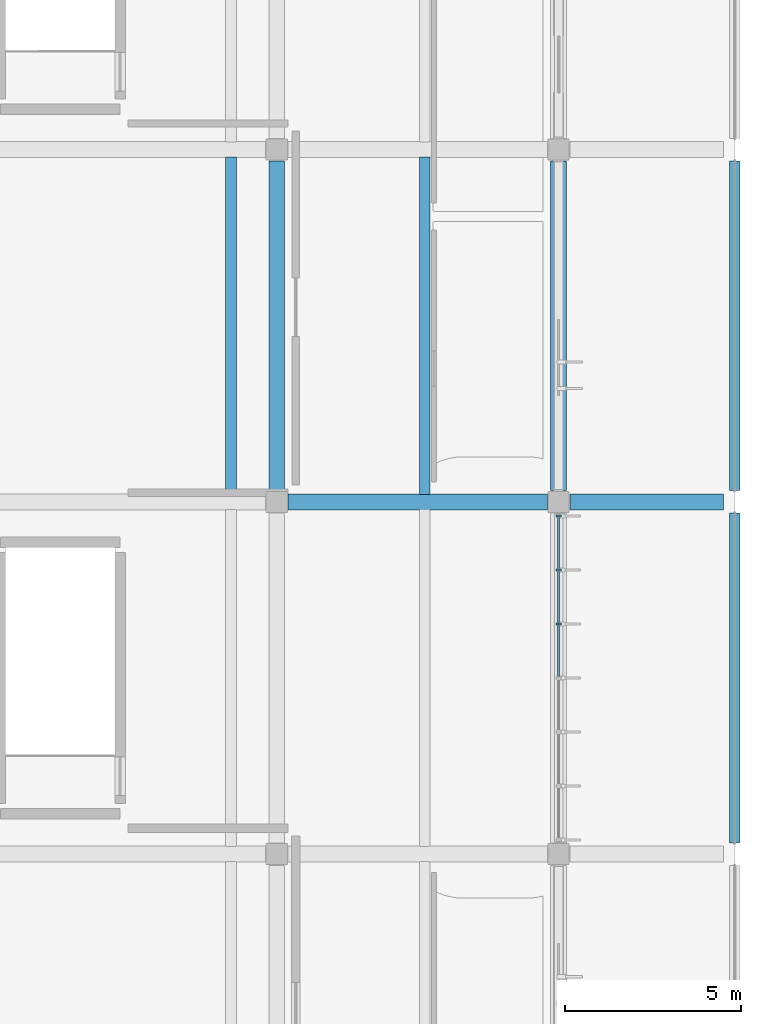
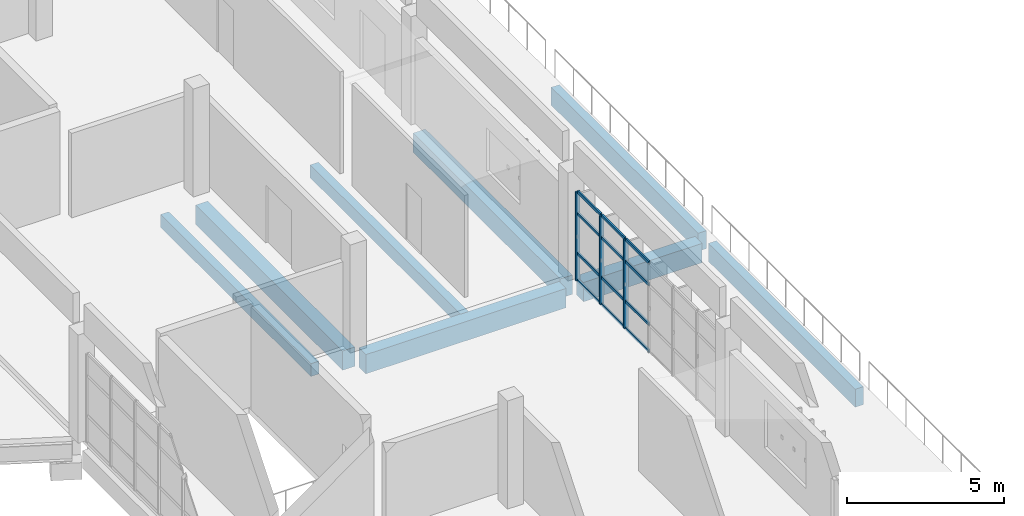
# One storey, part 11 of 39: 15 members, 8 beams, 1 element without a shape of its own.
"""IFC4 building model written with IfcOpenShell, lengths in metres."""

from ifc_helpers import new_model, si_unit, direction, frame, origin, origin_2d, place, context, subcontext, project, spatial, rectangle, extrude, material, layer, layer_set, material_profile, profile_set, type_object, element, aggregate, save


model = new_model("IFC4")

# Units and contexts
model_context = context("Model", 3, precision=1e-05, world=origin(), true_north=direction((0.0, 1.0)))
body_context = subcontext(model_context, "Body", "Model", "MODEL_VIEW")
ifc_project = project(units=[si_unit("LENGTHUNIT", "METRE"), si_unit("AREAUNIT", "SQUARE_METRE"), si_unit("VOLUMEUNIT", "CUBIC_METRE"), si_unit("PLANEANGLEUNIT", "RADIAN"), si_unit("MASSUNIT", "GRAM", prefix="KILO")], contexts=[model_context])

# Site, building, storey
site_placement = place(None, origin())
site = spatial("IfcSite", under=ifc_project, at=site_placement, CompositionType="ELEMENT")
building_placement = place(site_placement, origin())
building = spatial("IfcBuilding", under=site, at=building_placement, Name="Corvandel Quay Wholesale Market", CompositionType="ELEMENT")
storey_placement = place(building_placement, frame((0.0, 0.0, 15.0)))
storey = spatial("IfcBuildingStorey", under=building, at=storey_placement, Name="L03", CompositionType="ELEMENT", Elevation=15.0)

# Curtain wall, members
ifc_material_1 = material(Name="Bronze anodised aluminium and low-E insulated glazing", Category="aluminium")
ifc_layer = layer(ifc_material_1, 0.162109375)
ifc_layer_set = layer_set([ifc_layer], Name="Bronze anodised aluminium and low-E insulated glazing")
curtain_wall_type = type_object("IfcCurtainWallType", Name="Stick Curtain Wall System CW16 H4440", PredefinedType="NOTDEFINED", material=ifc_layer_set)
curtain_wall_placement = place(storey_placement, origin())
curtain_wall = element("IfcCurtainWall", 1, at=curtain_wall_placement, inside=storey, type_object=curtain_wall_type, Name="Curtain Wall CW-0164", PredefinedType="NOTDEFINED")
ifc_material_2 = material(Name="Anodised aluminium 6063-T6", Category="aluminium")
ifc_material_profile_1 = material_profile(ifc_material_2, rectangle(XDim=0.06494140625, YDim=0.14990234375, at=origin_2d()), Name="ALU-MUL-65x150")
ifc_profile_set_1 = profile_set([ifc_material_profile_1], Name="Anodised aluminium 6063-T6")
member_type_1 = type_object("IfcMemberType", Name="Curtain Wall Mullion ML02 65x150", PredefinedType="MULLION", material=ifc_profile_set_1)
member_1_placement = place(storey_placement, frame((238.0, 46.533203125, 0.0), z_axis=(0.0, 0.0, 1.0), x_axis=(0.0, 1.0, 0.0)))
member_1 = element("IfcMember", 2, at=member_1_placement, type_object=member_type_1, Name="Mullion CW-0164-M04", PredefinedType="MULLION", context=body_context, shape_type="SweptSolid", body=[
    extrude(rectangle(XDim=0.06494140625, YDim=0.14990234375, at=origin_2d()), origin(), (0.0, 0.0, 1.0), 3.449951171875),
])
member_2_placement = place(storey_placement, frame((238.0, 48.066650390625, 0.0), z_axis=(0.0, 0.0, 1.0), x_axis=(0.0, 1.0, 0.0)))
member_2 = element("IfcMember", 3, at=member_2_placement, type_object=member_type_1, Name="Mullion CW-0164-M05", PredefinedType="MULLION", context=body_context, shape_type="SweptSolid", body=[
    extrude(rectangle(XDim=0.06494140625, YDim=0.14990234375, at=origin_2d()), origin(), (0.0, 0.0, 1.0), 3.449951171875),
])
member_3_placement = place(storey_placement, frame((238.0, 49.60009765625, 0.0), z_axis=(0.0, 0.0, 1.0), x_axis=(0.0, 1.0, 0.0)))
member_3 = element("IfcMember", 4, at=member_3_placement, type_object=member_type_1, Name="Mullion CW-0164-M06", PredefinedType="MULLION", context=body_context, shape_type="SweptSolid", body=[
    extrude(rectangle(XDim=0.06494140625, YDim=0.14990234375, at=origin_2d()), origin(), (0.0, 0.0, 1.0), 3.449951171875),
])
ifc_material_profile_2 = material_profile(ifc_material_2, rectangle(XDim=0.06005859375, YDim=0.110107421875, at=origin_2d()), Name="ALU-TRN-60x110")
ifc_profile_set_2 = profile_set([ifc_material_profile_2], Name="Anodised aluminium 6063-T6")
member_type_2 = type_object("IfcMemberType", Name="Curtain Wall Transom TR02 60x110", PredefinedType="USERDEFINED", material=ifc_profile_set_2)
member_4_placement = place(storey_placement, frame((238.0, 45.032470703125, 0.0), z_axis=(0.0, 1.0, 0.0), x_axis=(-1.0, 0.0, 0.0)))
member_4 = element("IfcMember", 5, at=member_4_placement, type_object=member_type_2, Name="Transom CW-0164-T03-0", ObjectType="TRANSOM", PredefinedType="USERDEFINED", context=body_context, shape_type="SweptSolid", body=[
    extrude(rectangle(XDim=0.06005859375, YDim=0.110107421875, at=origin_2d()), origin(), (0.0, 0.0, 1.0), 1.46826171875),
])
member_5_placement = place(storey_placement, frame((238.0, 45.032470703125, 1.050048828125), z_axis=(0.0, 1.0, 0.0), x_axis=(-1.0, 0.0, 0.0)))
member_5 = element("IfcMember", 6, at=member_5_placement, type_object=member_type_2, Name="Transom CW-0164-T03-1", ObjectType="TRANSOM", PredefinedType="USERDEFINED", context=body_context, shape_type="SweptSolid", body=[
    extrude(rectangle(XDim=0.06005859375, YDim=0.110107421875, at=origin_2d()), origin(), (0.0, 0.0, 1.0), 1.46826171875),
])
member_6_placement = place(storey_placement, frame((238.0, 45.032470703125, 2.60009765625), z_axis=(0.0, 1.0, 0.0), x_axis=(-1.0, 0.0, 0.0)))
member_6 = element("IfcMember", 7, at=member_6_placement, type_object=member_type_2, Name="Transom CW-0164-T03-2", ObjectType="TRANSOM", PredefinedType="USERDEFINED", context=body_context, shape_type="SweptSolid", body=[
    extrude(rectangle(XDim=0.06005859375, YDim=0.110107421875, at=origin_2d()), origin(), (0.0, 0.0, 1.0), 1.46826171875),
])
member_7_placement = place(storey_placement, frame((238.0, 45.032470703125, 3.449951171875), z_axis=(0.0, 1.0, 0.0), x_axis=(-1.0, 0.0, 0.0)))
member_7 = element("IfcMember", 8, at=member_7_placement, type_object=member_type_2, Name="Transom CW-0164-T03-3", ObjectType="TRANSOM", PredefinedType="USERDEFINED", context=body_context, shape_type="SweptSolid", body=[
    extrude(rectangle(XDim=0.06005859375, YDim=0.110107421875, at=origin_2d()), origin(), (0.0, 0.0, 1.0), 1.46826171875),
])
member_8_placement = place(storey_placement, frame((238.0, 46.56591796875, 0.0), z_axis=(0.0, 1.0, 0.0), x_axis=(-1.0, 0.0, 0.0)))
member_8 = element("IfcMember", 9, at=member_8_placement, type_object=member_type_2, Name="Transom CW-0164-T04-0", ObjectType="TRANSOM", PredefinedType="USERDEFINED", context=body_context, shape_type="SweptSolid", body=[
    extrude(rectangle(XDim=0.06005859375, YDim=0.110107421875, at=origin_2d()), origin(), (0.0, 0.0, 1.0), 1.46826171875),
])
member_9_placement = place(storey_placement, frame((238.0, 46.56591796875, 1.050048828125), z_axis=(0.0, 1.0, 0.0), x_axis=(-1.0, 0.0, 0.0)))
member_9 = element("IfcMember", 10, at=member_9_placement, type_object=member_type_2, Name="Transom CW-0164-T04-1", ObjectType="TRANSOM", PredefinedType="USERDEFINED", context=body_context, shape_type="SweptSolid", body=[
    extrude(rectangle(XDim=0.06005859375, YDim=0.110107421875, at=origin_2d()), origin(), (0.0, 0.0, 1.0), 1.46826171875),
])
member_10_placement = place(storey_placement, frame((238.0, 46.56591796875, 2.60009765625), z_axis=(0.0, 1.0, 0.0), x_axis=(-1.0, 0.0, 0.0)))
member_10 = element("IfcMember", 11, at=member_10_placement, type_object=member_type_2, Name="Transom CW-0164-T04-2", ObjectType="TRANSOM", PredefinedType="USERDEFINED", context=body_context, shape_type="SweptSolid", body=[
    extrude(rectangle(XDim=0.06005859375, YDim=0.110107421875, at=origin_2d()), origin(), (0.0, 0.0, 1.0), 1.46826171875),
])
member_11_placement = place(storey_placement, frame((238.0, 46.56591796875, 3.449951171875), z_axis=(0.0, 1.0, 0.0), x_axis=(-1.0, 0.0, 0.0)))
member_11 = element("IfcMember", 12, at=member_11_placement, type_object=member_type_2, Name="Transom CW-0164-T04-3", ObjectType="TRANSOM", PredefinedType="USERDEFINED", context=body_context, shape_type="SweptSolid", body=[
    extrude(rectangle(XDim=0.06005859375, YDim=0.110107421875, at=origin_2d()), origin(), (0.0, 0.0, 1.0), 1.46826171875),
])
member_12_placement = place(storey_placement, frame((238.0, 48.09912109375, 0.0), z_axis=(0.0, 1.0, 0.0), x_axis=(-1.0, 0.0, 0.0)))
member_12 = element("IfcMember", 13, at=member_12_placement, type_object=member_type_2, Name="Transom CW-0164-T05-0", ObjectType="TRANSOM", PredefinedType="USERDEFINED", context=body_context, shape_type="SweptSolid", body=[
    extrude(rectangle(XDim=0.06005859375, YDim=0.110107421875, at=origin_2d()), origin(), (0.0, 0.0, 1.0), 1.46826171875),
])
member_13_placement = place(storey_placement, frame((238.0, 48.09912109375, 1.050048828125), z_axis=(0.0, 1.0, 0.0), x_axis=(-1.0, 0.0, 0.0)))
member_13 = element("IfcMember", 14, at=member_13_placement, type_object=member_type_2, Name="Transom CW-0164-T05-1", ObjectType="TRANSOM", PredefinedType="USERDEFINED", context=body_context, shape_type="SweptSolid", body=[
    extrude(rectangle(XDim=0.06005859375, YDim=0.110107421875, at=origin_2d()), origin(), (0.0, 0.0, 1.0), 1.46826171875),
])
member_14_placement = place(storey_placement, frame((238.0, 48.09912109375, 2.60009765625), z_axis=(0.0, 1.0, 0.0), x_axis=(-1.0, 0.0, 0.0)))
member_14 = element("IfcMember", 15, at=member_14_placement, type_object=member_type_2, Name="Transom CW-0164-T05-2", ObjectType="TRANSOM", PredefinedType="USERDEFINED", context=body_context, shape_type="SweptSolid", body=[
    extrude(rectangle(XDim=0.06005859375, YDim=0.110107421875, at=origin_2d()), origin(), (0.0, 0.0, 1.0), 1.46826171875),
])
member_15_placement = place(storey_placement, frame((238.0, 48.09912109375, 3.449951171875), z_axis=(0.0, 1.0, 0.0), x_axis=(-1.0, 0.0, 0.0)))
member_15 = element("IfcMember", 16, at=member_15_placement, type_object=member_type_2, Name="Transom CW-0164-T05-3", ObjectType="TRANSOM", PredefinedType="USERDEFINED", context=body_context, shape_type="SweptSolid", body=[
    extrude(rectangle(XDim=0.06005859375, YDim=0.110107421875, at=origin_2d()), origin(), (0.0, 0.0, 1.0), 1.46826171875),
])
aggregate(curtain_wall, [member_1, member_2, member_3, member_4, member_5, member_6, member_7, member_8, member_9, member_10, member_11, member_12, member_13, member_14, member_15])

# Beams
ifc_material_3 = material(Name="Precast concrete C45/55", Category="concrete")
ifc_material_profile_3 = material_profile(ifc_material_3, rectangle(XDim=0.300048828125, YDim=0.5, at=origin_2d()), Name="PC-BM-300x500")
ifc_profile_set_3 = profile_set([ifc_material_profile_3], Name="Precast concrete C45/55")
beam_type_1 = type_object("IfcBeamType", Name="Office Floor Secondary Beam B04 300x500", PredefinedType="BEAM", material=ifc_profile_set_3)
for number, where, z_axis, x_axis, name in (
    (17, (228.699951171875, 50.215087890625, -0.570068359375), (0.0, 1.0, 0.0), (-1.0, 0.0, 0.0), "Beam BM-1686"),
    (18, (234.199951171875, 50.215087890625, -0.570068359375), (0.0, 1.0, 0.0), (-1.0, 0.0, 0.0), "Beam BM-1687"),
):
    element("IfcBeam", number, at=place(storey_placement, frame(where, z_axis=z_axis, x_axis=x_axis)), inside=storey, type_object=beam_type_1, Name=name, PredefinedType="BEAM", context=body_context, shape_type="SweptSolid", body=[
        extrude(rectangle(XDim=0.300048828125, YDim=0.5, at=origin_2d()), origin(), (0.0, 0.0, 1.0), 9.56982421875),
    ])
ifc_material_profile_4 = material_profile(ifc_material_3, rectangle(XDim=0.300048828125, YDim=0.699951171875, at=origin_2d()), Name="PC-SPN-300x700")
ifc_profile_set_4 = profile_set([ifc_material_profile_4], Name="Precast concrete C45/55")
beam_type_2 = type_object("IfcBeamType", Name="Terrace Edge Spandrel SP03 300x700", PredefinedType="SPANDREL", material=ifc_profile_set_4)
for number, where, z_axis, x_axis, name in (
    (19, (243.0, 40.320068359375, -0.669921875), (0.0, 1.0, 0.0), (-1.0, 0.0, 0.0), "Beam BM-1672"),
    (20, (243.0, 50.320068359375, -0.669921875), (0.0, 1.0, 0.0), (-1.0, 0.0, 0.0), "Beam BM-1673"),
):
    element("IfcBeam", number, at=place(storey_placement, frame(where, z_axis=z_axis, x_axis=x_axis)), inside=storey, type_object=beam_type_2, Name=name, PredefinedType="SPANDREL", context=body_context, shape_type="SweptSolid", body=[
        extrude(rectangle(XDim=0.300048828125, YDim=0.699951171875, at=origin_2d()), origin(), (0.0, 0.0, 1.0), 9.35986328125),
    ])
ifc_material_profile_5 = material_profile(ifc_material_3, rectangle(XDim=0.449951171875, YDim=0.75, at=origin_2d()), Name="PC-GIR-450x750")
ifc_profile_set_5 = profile_set([ifc_material_profile_5], Name="Precast concrete C45/55")
beam_type_3 = type_object("IfcBeamType", Name="Waterfront Office Girder G06 450x750", PredefinedType="USERDEFINED", material=ifc_profile_set_5)
beam_1_placement = place(storey_placement, frame((230.320068359375, 50.0, -0.695068359375), z_axis=(1.0, 0.0, 0.0), x_axis=(0.0, 1.0, 0.0)))
element("IfcBeam", 21, at=beam_1_placement, inside=storey, type_object=beam_type_3, Name="Beam BM-1625", ObjectType="GIRDER", PredefinedType="USERDEFINED", context=body_context, shape_type="SweptSolid", body=[
    extrude(rectangle(XDim=0.449951171875, YDim=0.75, at=origin_2d()), origin(), (0.0, 0.0, 1.0), 7.35986328125),
])
beam_2_placement = place(storey_placement, frame((238.320068359375, 50.0, -0.695068359375), z_axis=(1.0, 0.0, 0.0), x_axis=(0.0, 1.0, 0.0)))
element("IfcBeam", 22, at=beam_2_placement, inside=storey, type_object=beam_type_3, Name="Beam BM-1626", ObjectType="GIRDER", PredefinedType="USERDEFINED", context=body_context, shape_type="SweptSolid", body=[
    extrude(rectangle(XDim=0.449951171875, YDim=0.75, at=origin_2d()), origin(), (0.0, 0.0, 1.0), 4.35986328125),
])
for number, where, z_axis, x_axis, name in (
    (23, (230.0, 50.320068359375, -0.695068359375), (0.0, 1.0, 0.0), (-1.0, 0.0, 0.0), "Beam BM-1655"),
    (24, (238.0, 50.320068359375, -0.695068359375), (0.0, 1.0, 0.0), (-1.0, 0.0, 0.0), "Beam BM-1664"),
):
    element("IfcBeam", number, at=place(storey_placement, frame(where, z_axis=z_axis, x_axis=x_axis)), inside=storey, type_object=beam_type_3, Name=name, ObjectType="GIRDER", PredefinedType="USERDEFINED", context=body_context, shape_type="SweptSolid", body=[
        extrude(rectangle(XDim=0.449951171875, YDim=0.75, at=origin_2d()), origin(), (0.0, 0.0, 1.0), 9.35986328125),
    ])

save(model, "model.ifc")
